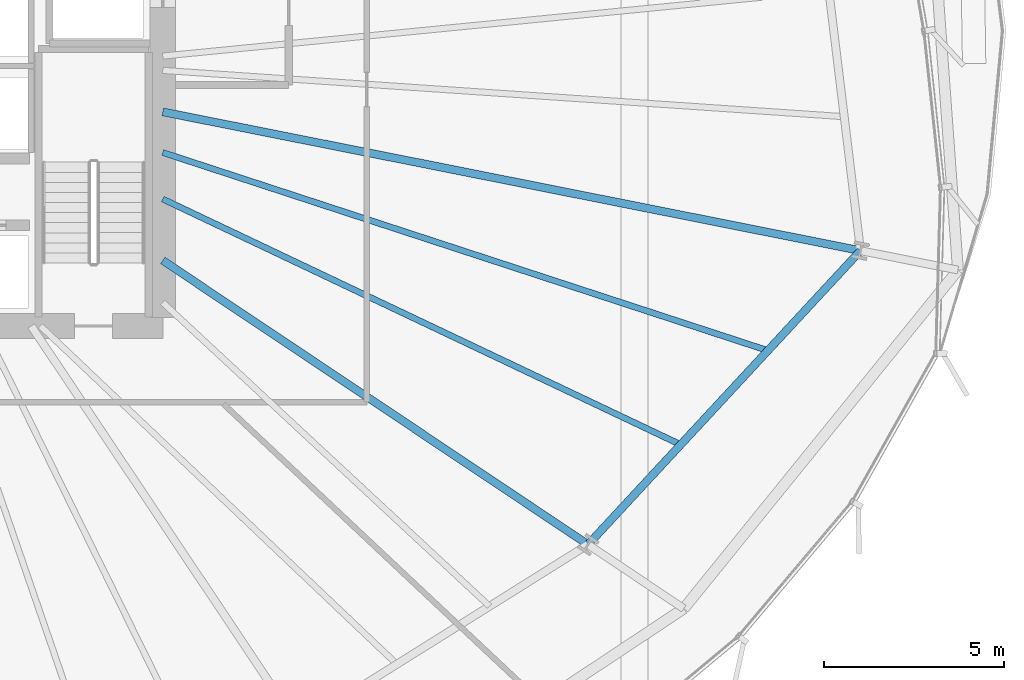
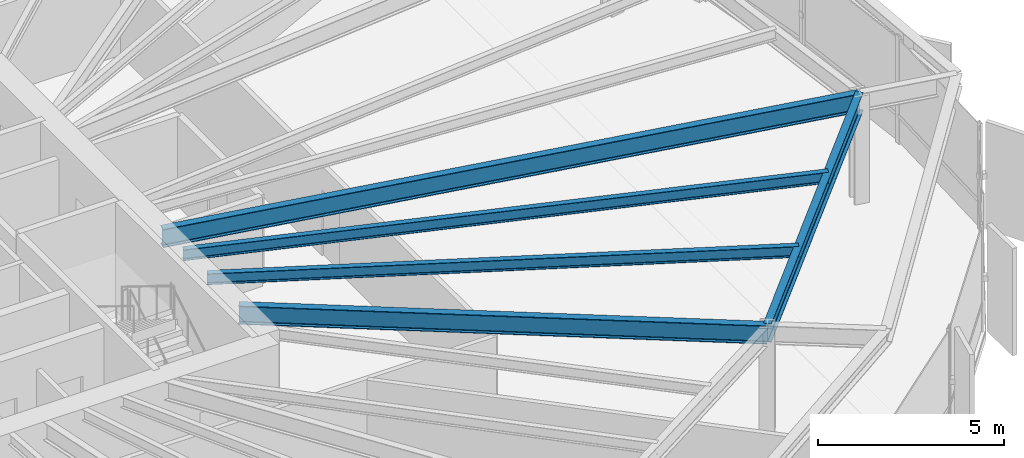
# One storey, part 15 of 39: 5 beams.
"""IFC4 building model written with IfcOpenShell, lengths in metres."""

import ifcopenshell
import ifcopenshell.guid

model = None  # the IFC model being written
_history = None  # IfcOwnerHistory: only IFC2X3 demands one
_inside = {}  # id of a spatial element -> (the spatial element, [elements in it])
_under = {}  # id of a project, library or spatial element -> (it, [spatial elements below it])
_declared = {}  # id of a project -> (the project, [libraries it declares])
_typed = {}  # id of a type object -> (the type object, [elements of that type])
_made_of = {}  # id of a material, layer set ... -> (it, [elements and type objects made of it])


def new_model(schema):
    """Start an empty IFC model of exactly this schema.

    Asked for "IFC4X3", IfcOpenShell would pick the latest addendum, in which some entities
    have other attributes; the version numbers below select the first issue.
    IFC2X3 requires an IfcOwnerHistory on every rooted entity: one is made here for all.
    """
    global model, _history
    if schema == "IFC4X3":
        model = ifcopenshell.file(schema_version=(4, 3, 0, 0))
    else:
        model = ifcopenshell.file(schema=schema)
    _inside.clear()
    _under.clear()
    _declared.clear()
    _typed.clear()
    _made_of.clear()
    _history = None
    if model.schema == "IFC2X3":
        org = make("IfcOrganization", Name="unknown")
        user = make(
            "IfcPersonAndOrganization",
            ThePerson=make("IfcPerson", FamilyName="unknown"),
            TheOrganization=org,
        )
        app = make(
            "IfcApplication",
            ApplicationDeveloper=org,
            Version="unknown",
            ApplicationFullName="unknown",
            ApplicationIdentifier="unknown",
        )
        _history = make(
            "IfcOwnerHistory",
            OwningUser=user,
            OwningApplication=app,
            ChangeAction="ADDED",
            CreationDate=0,
        )
    return model


def make(cls, **values):
    """One entity of the class cls with the attributes given. An attribute that is None is left unset."""
    return model.create_entity(
        cls, **{name: value for name, value in values.items() if value is not None}
    )


def rooted(cls, **values):
    """An entity with a GlobalId (a new one), such as an element, a storey or a relation."""
    return make(cls, GlobalId=ifcopenshell.guid.new(), OwnerHistory=_history, **values)


def si_unit(unit_type, name, prefix=None):
    """IfcSIUnit, for example si_unit("LENGTHUNIT", "METRE", prefix="MILLI")."""
    return make("IfcSIUnit", UnitType=unit_type, Prefix=prefix, Name=name)


def assignment(units):
    """IfcUnitAssignment: the units of a project."""
    return None if units is None else make("IfcUnitAssignment", Units=units)


def point(xyz):
    """IfcCartesianPoint."""
    return None if xyz is None else make("IfcCartesianPoint", Coordinates=xyz)


def direction(xyz):
    """IfcDirection."""
    return None if xyz is None else make("IfcDirection", DirectionRatios=xyz)


def frame(location, z_axis=None, x_axis=None):
    """IfcAxis2Placement3D, a coordinate frame: its origin and axes. An axis left out is left unset."""
    return make(
        "IfcAxis2Placement3D",
        Location=point(location),
        Axis=direction(z_axis),
        RefDirection=direction(x_axis),
    )


def frame_2d(location, x_axis=None):
    """IfcAxis2Placement2D, a coordinate frame in the plane: its origin and x axis."""
    return make(
        "IfcAxis2Placement2D", Location=point(location), RefDirection=direction(x_axis)
    )


def origin():
    """The frame at (0, 0, 0) with its axes left unset."""
    return frame((0.0, 0.0, 0.0))


def origin_2d():
    """The frame at (0, 0) in the plane with its x axis left unset."""
    return frame_2d((0.0, 0.0))


def place(relative_to, where):
    """IfcLocalPlacement: puts the frame where relative to a parent placement (None: the world)."""
    return make(
        "IfcLocalPlacement", PlacementRelTo=relative_to, RelativePlacement=where
    )


def context(
    kind, dimensions, precision=None, world=None, true_north=None, identifier=None
):
    """IfcGeometricRepresentationContext, for example the 3D "Model" context."""
    return make(
        "IfcGeometricRepresentationContext",
        ContextIdentifier=identifier,
        ContextType=kind,
        CoordinateSpaceDimension=dimensions,
        Precision=precision,
        WorldCoordinateSystem=world,
        TrueNorth=true_north,
    )


def subcontext(parent, identifier, kind, view, scale=None):
    """IfcGeometricRepresentationSubContext, for example "Body" below "Model"."""
    return make(
        "IfcGeometricRepresentationSubContext",
        ContextIdentifier=identifier,
        ContextType=kind,
        ParentContext=parent,
        TargetScale=scale,
        TargetView=view,
    )


def project(units=None, contexts=None):
    """IfcProject with its units and contexts."""
    return rooted(
        "IfcProject",
        Name="project",
        RepresentationContexts=contexts,
        UnitsInContext=assignment(units),
    )


def spatial(cls, under=None, at=None, **own):
    """A site, building, storey or space (cls), placed at a placement, below another one or the project."""
    s = rooted(cls, ObjectPlacement=at, **own)
    if under is not None:
        _under.setdefault(under.id(), (under, []))[1].append(s)
    return s


def profile(cls, at=None, kind="AREA", **sizes):
    """A parametric profile (cls). Its sizes go by their IFC names, for example OverallWidth=200.0."""
    return make(cls, ProfileType=kind, Position=at, **sizes)


def i_section(**sizes):
    """IfcIShapeProfileDef."""
    return profile("IfcIShapeProfileDef", **sizes)


def extrude(swept, where, along, depth):
    """IfcExtrudedAreaSolid: the profile swept, set in the frame where, extruded along a direction by depth."""
    return make(
        "IfcExtrudedAreaSolid",
        SweptArea=swept,
        Position=where,
        ExtrudedDirection=direction(along),
        Depth=depth,
    )


def shape(context_of_items, identifier, shape_type, items):
    """IfcShapeRepresentation: the items that make up one representation, for example the "Body"."""
    return make(
        "IfcShapeRepresentation",
        ContextOfItems=context_of_items,
        RepresentationIdentifier=identifier,
        RepresentationType=shape_type,
        Items=items,
    )


def source(mapping_origin, context_of_items, identifier, shape_type, items):
    """IfcRepresentationMap: a shape defined once, which mapped items show again and again."""
    return make(
        "IfcRepresentationMap",
        MappingOrigin=mapping_origin,
        MappedRepresentation=shape(context_of_items, identifier, shape_type, items),
    )


def transform(
    local_origin,
    x_axis=None,
    y_axis=None,
    z_axis=None,
    scale=None,
    scale2=None,
    scale3=None,
    uniform=True,
):
    """IfcCartesianTransformationOperator3D, or its non-uniform kind. x_axis, y_axis, z_axis: its Axis1, 2, 3."""
    if uniform:
        return make(
            "IfcCartesianTransformationOperator3D",
            Axis1=direction(x_axis),
            Axis2=direction(y_axis),
            LocalOrigin=point(local_origin),
            Scale=scale,
            Axis3=direction(z_axis),
        )
    return make(
        "IfcCartesianTransformationOperator3DnonUniform",
        Axis1=direction(x_axis),
        Axis2=direction(y_axis),
        LocalOrigin=point(local_origin),
        Scale=scale,
        Axis3=direction(z_axis),
        Scale2=scale2,
        Scale3=scale3,
    )


def mapped(mapping_source, mapping_target):
    """IfcMappedItem: shows the shape of a source again, moved by a transform."""
    return make(
        "IfcMappedItem", MappingSource=mapping_source, MappingTarget=mapping_target
    )


def material(Name=None, Category=None):
    """IfcMaterial."""
    return make("IfcMaterial", Name=Name, Category=Category)


def material_profile(
    of_material, cross_section, Name=None, Category=None, Priority=None
):
    """IfcMaterialProfile: a cross section and its material."""
    return make(
        "IfcMaterialProfile",
        Name=Name,
        Material=of_material,
        Profile=cross_section,
        Priority=Priority,
        Category=Category,
    )


def profile_set(profiles, Name=None, composite=None):
    """IfcMaterialProfileSet."""
    return make(
        "IfcMaterialProfileSet",
        Name=Name,
        MaterialProfiles=profiles,
        CompositeProfile=composite,
    )


def made_of(thing, what):
    """Note that an element or type object is made of a material, layer set ...; save() writes the relation."""
    if what is not None:
        _made_of.setdefault(what.id(), (what, []))[1].append(thing)
    return thing


def type_object(cls, material=None, **own):
    """A type object (cls), such as IfcWallType, which elements share."""
    return made_of(rooted(cls, **own), material)


def element(
    cls,
    number,
    at=None,
    inside=None,
    cuts=None,
    type_object=None,
    material=None,
    context=None,
    identifier="Body",
    shape_type=None,
    held_by="IfcProductDefinitionShape",
    body=None,
    shapes=None,
    **own,
):
    """One element of the class cls, such as IfcWall. Its Tag is "e" and its number.

    at: its placement. inside: the storey or other place that contains it. cuts: it is an
    opening in that element (IfcRelVoidsElement). A single representation is given by context,
    identifier, shape_type and body (its items); several are given by shapes. held_by: the class
    of the entity that holds the representations. save() writes the other relations.
    """
    e = rooted(cls, Tag="e%d" % number, ObjectPlacement=at, **own)
    if body is not None:
        shapes = [shape(context, identifier, shape_type, body)]
    if shapes is not None:
        e.Representation = make(held_by, Representations=shapes)
    if inside is not None:
        _inside.setdefault(inside.id(), (inside, []))[1].append(e)
    if cuts is not None:
        rooted(
            "IfcRelVoidsElement", RelatingBuildingElement=cuts, RelatedOpeningElement=e
        )
    if type_object is not None:
        _typed.setdefault(type_object.id(), (type_object, []))[1].append(e)
    return made_of(e, material)


def aggregate(whole, parts):
    """IfcRelAggregates: a whole, such as a stair, and the parts it consists of."""
    return rooted("IfcRelAggregates", RelatingObject=whole, RelatedObjects=parts)


def save(model, path):
    """Write the relations noted so far, then the file.

    IfcRelAggregates (storeys below a building ...), IfcRelContainedInSpatialStructure (elements
    in a storey), IfcRelDefinesByType, IfcRelAssociatesMaterial and IfcRelDeclares: one each for
    every whole, place, type object, material and project.
    """
    for whole, parts in _under.values():
        aggregate(whole, parts)
    for where, things in _inside.values():
        rooted(
            "IfcRelContainedInSpatialStructure",
            RelatedElements=things,
            RelatingStructure=where,
        )
    for kind, things in _typed.values():
        rooted("IfcRelDefinesByType", RelatedObjects=things, RelatingType=kind)
    for what, things in _made_of.values():
        rooted("IfcRelAssociatesMaterial", RelatedObjects=things, RelatingMaterial=what)
    for by, libraries in _declared.values():
        rooted("IfcRelDeclares", RelatingContext=by, RelatedDefinitions=libraries)
    model.write(path)


model = new_model("IFC4")

# Units and contexts
model_context = context("Model", 3, precision=1e-05, world=origin(), true_north=direction((0.0, 1.0)))
body_context = subcontext(model_context, "Body", "Model", "MODEL_VIEW")
ifc_project = project(units=[si_unit("LENGTHUNIT", "METRE"), si_unit("AREAUNIT", "SQUARE_METRE"), si_unit("VOLUMEUNIT", "CUBIC_METRE"), si_unit("PLANEANGLEUNIT", "RADIAN"), si_unit("MASSUNIT", "GRAM", prefix="KILO"), si_unit("THERMODYNAMICTEMPERATUREUNIT", "KELVIN")], contexts=[model_context])

# Site, building, storey
site_placement = place(None, origin())
site = spatial("IfcSite", under=ifc_project, at=site_placement, CompositionType="ELEMENT")
building_placement = place(site_placement, origin())
building = spatial("IfcBuilding", under=site, at=building_placement, Name="Kethvar Cultural Tower", CompositionType="ELEMENT")
storey_placement = place(building_placement, frame((0.0, 0.0, 33.39990234375)))
storey = spatial("IfcBuildingStorey", under=building, at=storey_placement, Name="L07", CompositionType="ELEMENT", Elevation=33.39990234375)

# Beams
ifc_material = material(Name="Steel S355J2", Category="steel")
ifc_material_profile_1 = material_profile(ifc_material, i_section(OverallWidth=0.219970703125, OverallDepth=0.60009765625, WebThickness=0.011962890625, FlangeThickness=0.01904296875, FilletRadius=0.02392578125, at=origin_2d()), Name="Steel S355J2 — IPE600")
ifc_profile_set_1 = profile_set([ifc_material_profile_1], Name="Steel S355J2 — IPE600")
beam_type_1 = type_object("IfcBeamType", Name="BM-IPE600", PredefinedType="BEAM", material=ifc_profile_set_1)
shared_shape_1 = source(origin(), body_context, "Body", "SweptSolid", [
    extrude(i_section(OverallWidth=0.219970703125, OverallDepth=0.60009765625, WebThickness=0.011962890625, FlangeThickness=0.01904296875, FilletRadius=0.02392578125, at=origin_2d()), origin(), (0.0, 0.0, 1.0), 14.2138671875),
])
beam_1_placement = place(storey_placement, frame((55.60009765625, 21.920166015625, 3.248046875), z_axis=(0.831463197362, -0.555579833537, 0.0), x_axis=(0.555579833537, 0.831463197362, 0.0)))
element("IfcBeam", 1, at=beam_1_placement, inside=storey, type_object=beam_type_1, Name="L07 Primary Radial Beam RB-15", PredefinedType="BEAM", context=body_context, shape_type="MappedRepresentation", body=[
    mapped(shared_shape_1, transform((0.0, 0.0, 0.0), scale=1.0)),
])
shared_shape_2 = source(origin(), body_context, "Body", "SweptSolid", [
    extrude(i_section(OverallWidth=0.219970703125, OverallDepth=0.60009765625, WebThickness=0.011962890625, FlangeThickness=0.01904296875, FilletRadius=0.02392578125, at=origin_2d()), origin(), (0.0, 0.0, 1.0), 19.77099609375),
])
beam_2_placement = place(storey_placement, frame((55.60009765625, 26.049560546875, 3.248046875), z_axis=(0.980784840197, -0.195092535068, 0.0), x_axis=(0.195092535068, 0.980784840197, 0.0)))
element("IfcBeam", 2, at=beam_2_placement, inside=storey, type_object=beam_type_1, Name="L07 Primary Radial Beam RB-16", PredefinedType="BEAM", context=body_context, shape_type="MappedRepresentation", body=[
    mapped(shared_shape_2, transform((0.0, 0.0, 0.0), scale=1.0)),
])
shared_shape_3 = source(origin(), body_context, "Body", "SweptSolid", [
    extrude(i_section(OverallWidth=0.219970703125, OverallDepth=0.60009765625, WebThickness=0.011962890625, FlangeThickness=0.01904296875, FilletRadius=0.02392578125, at=origin_2d()), origin(), (0.0, 0.0, 1.0), 11.13916015625),
])
beam_3_placement = place(storey_placement, frame((67.41845703125, 14.023193359375, 3.248046875), z_axis=(0.679827924457, 0.73337166098, 0.0), x_axis=(-0.73337166098, 0.679827924457, 0.0)))
element("IfcBeam", 3, at=beam_3_placement, inside=storey, type_object=beam_type_1, Name="L07 Column Ring Tie Beam CR-15", PredefinedType="BEAM", context=body_context, shape_type="MappedRepresentation", body=[
    mapped(shared_shape_3, transform((0.0, 0.0, 0.0), scale=1.0)),
])
ifc_material_profile_2 = material_profile(ifc_material, i_section(OverallWidth=0.169921875, OverallDepth=0.360107421875, WebThickness=0.008056640625, FlangeThickness=0.0126953125, FilletRadius=0.01806640625, at=origin_2d()), Name="Steel S355J2 — IPE360")
ifc_profile_set_2 = profile_set([ifc_material_profile_2], Name="Steel S355J2 — IPE360")
beam_type_2 = type_object("IfcBeamType", Name="BM-J360", PredefinedType="JOIST", material=ifc_profile_set_2)
shared_shape_4 = source(origin(), body_context, "Body", "SweptSolid", [
    extrude(i_section(OverallWidth=0.169921875, OverallDepth=0.360107421875, WebThickness=0.008056640625, FlangeThickness=0.0126953125, FilletRadius=0.01806640625, at=origin_2d()), origin(), (0.0, 0.0, 1.0), 15.9296875),
])
beam_4_placement = place(storey_placement, frame((55.60009765625, 23.626708984375, 3.3681640625), z_axis=(0.903539576646, -0.428504648089, 0.0), x_axis=(0.428504648089, 0.903539576646, 0.0)))
element("IfcBeam", 4, at=beam_4_placement, inside=storey, type_object=beam_type_2, Name="L07 Composite Floor Joist J-15A", PredefinedType="JOIST", context=body_context, shape_type="MappedRepresentation", body=[
    mapped(shared_shape_4, transform((0.0, 0.0, 0.0), scale=1.0)),
])
shared_shape_5 = source(origin(), body_context, "Body", "SweptSolid", [
    extrude(i_section(OverallWidth=0.169921875, OverallDepth=0.360107421875, WebThickness=0.008056640625, FlangeThickness=0.0126953125, FilletRadius=0.01806640625, at=origin_2d()), origin(), (0.0, 0.0, 1.0), 17.6943359375),
])
beam_5_placement = place(storey_placement, frame((55.60009765625, 24.91943359375, 3.3681640625), z_axis=(0.950378958587, -0.311094575773, 0.0), x_axis=(0.311094575773, 0.950378958587, 0.0)))
element("IfcBeam", 5, at=beam_5_placement, inside=storey, type_object=beam_type_2, Name="L07 Composite Floor Joist J-15B", PredefinedType="JOIST", context=body_context, shape_type="MappedRepresentation", body=[
    mapped(shared_shape_5, transform((0.0, 0.0, 0.0), scale=1.0)),
])

save(model, "model.ifc")
